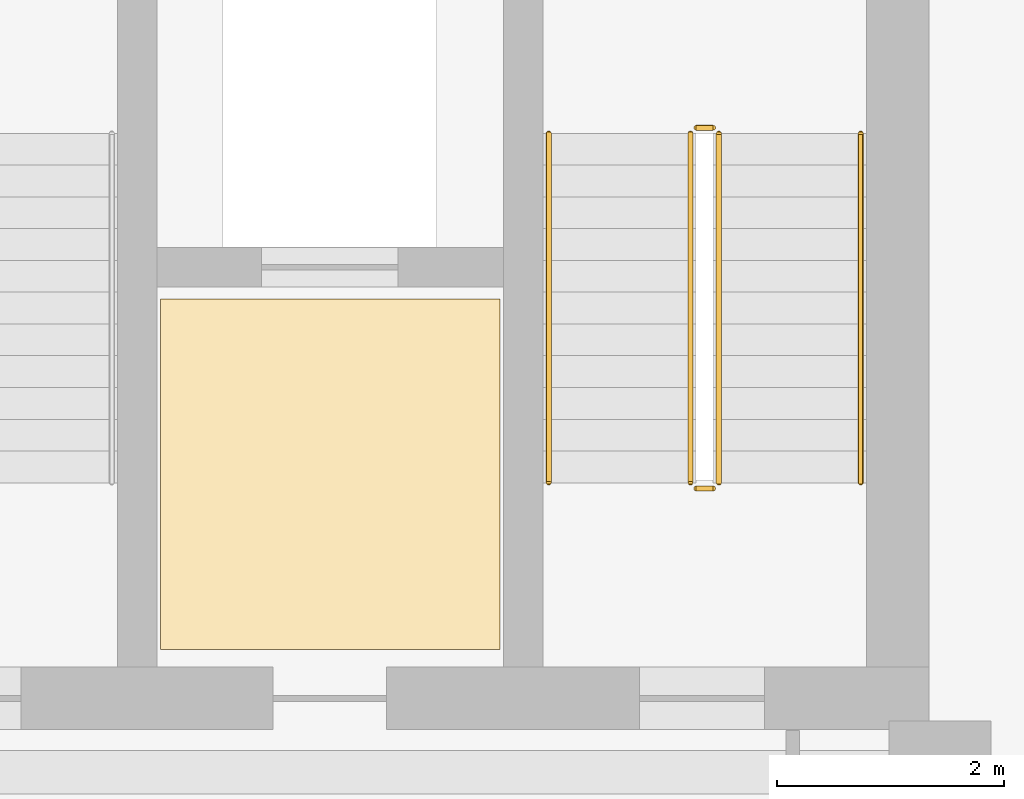
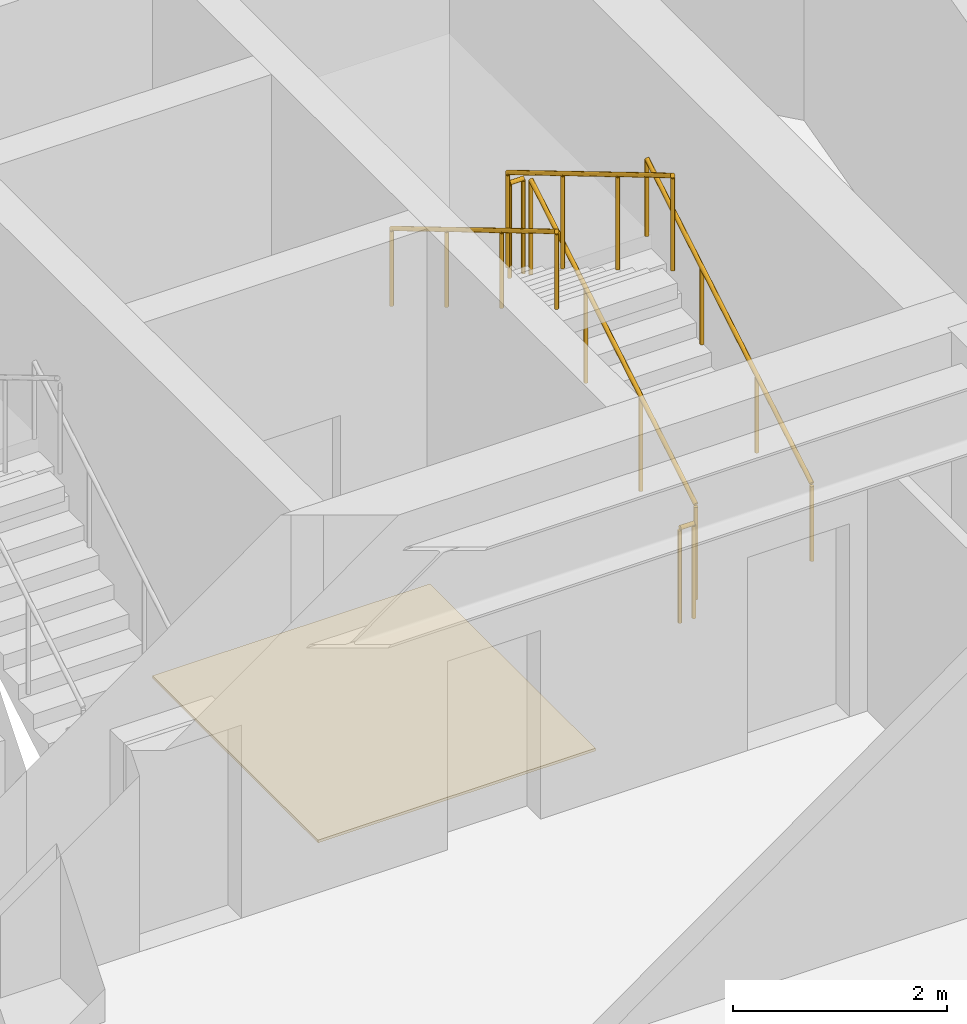
# One storey, part 21 of 21: 6 railings, 1 covering.
"""IFC4 building model written with IfcOpenShell, lengths in metres."""

from ifc_helpers import new_model, si_unit, direction, frame, origin, origin_2d, place, context, subcontext, project, spatial, polyline, circle, outline, extrude, material, layer, layer_set, type_object, element, save


model = new_model("IFC4")

# Units and contexts
model_context = context("Model", 3, precision=1e-05, world=origin(), true_north=direction((0.0, 1.0)))
body_context = subcontext(model_context, "Body", "Model", "MODEL_VIEW")
ifc_project = project(units=[si_unit("LENGTHUNIT", "METRE"), si_unit("AREAUNIT", "SQUARE_METRE"), si_unit("VOLUMEUNIT", "CUBIC_METRE"), si_unit("PLANEANGLEUNIT", "RADIAN"), si_unit("MASSUNIT", "GRAM", prefix="KILO")], contexts=[model_context])

# Site, building, storey
site_placement = place(None, origin())
site = spatial("IfcSite", under=ifc_project, at=site_placement, CompositionType="ELEMENT")
building_placement = place(site_placement, origin())
building = spatial("IfcBuilding", under=site, at=building_placement, Name="Kravanh Interchange Tower", CompositionType="ELEMENT")
storey_placement = place(building_placement, frame((0.0, 0.0, 160.5)))
storey = spatial("IfcBuildingStorey", under=building, at=storey_placement, Name="L38", CompositionType="ELEMENT", Elevation=160.5)

# Covering
ifc_material_1 = material(Name="Cementitious Terrazzo Tile")
ifc_layer_1 = layer(ifc_material_1, 0.030029296875)
ifc_layer_set_1 = layer_set([ifc_layer_1], Name="Honed Terrazzo Lobby Flooring 30mm")
covering_type = type_object("IfcCoveringType", Name="Honed Terrazzo Lobby Flooring 30mm", PredefinedType="FLOORING", material=ifc_layer_set_1)
covering_placement = place(storey_placement, origin())
element("IfcCovering", 1, at=covering_placement, inside=storey, type_object=covering_type, Name="L38 Service Lift Lobby Floor Finish", PredefinedType="FLOORING", context=body_context, shape_type="SweptSolid", body=[
    extrude(outline(polyline([(59.6298828125, 41.52001953125), (62.6201171875, 41.52001953125), (62.6201171875, 38.429931640625), (59.6298828125, 38.429931640625), (59.6298828125, 41.52001953125)])), origin(), (0.0, 0.0, 1.0), 0.030029296875),
])

# Railings
ifc_material_2 = material(Name="Structural Steel S355", Category="steel")
ifc_layer_2 = layer(ifc_material_2, 0.050048828125)
ifc_layer_set_2 = layer_set([ifc_layer_2], Name="Stair Well Guardrail Structural Steel S355 1100mm")
railing_type_1 = type_object("IfcRailingType", Name="Stair Well Guardrail Structural Steel S355 1100mm", PredefinedType="GUARDRAIL", material=ifc_layer_set_2)
railing_1_placement = place(storey_placement, frame((64.550048828125, 39.89990234375, 0.166748046875)))
element("IfcRailing", 2, at=railing_1_placement, inside=storey, type_object=railing_type_1, Name="L38 ST1 stair guard 1", PredefinedType="GUARDRAIL", context=body_context, shape_type="SweptSolid", body=[
    extrude(circle(Radius=0.02392578125, at=origin_2d()), frame((0.0, 0.0, 1.076171875), z_axis=(0.0, 0.859308565015, 0.511457515432), x_axis=(-1.0, 0.0, 0.0)), (0.0, 0.0, 1.0), 3.58447265625),
    extrude(circle(Radius=0.02099609375, at=origin_2d()), origin(), (0.0, 0.0, 1.0), 1.052001953125),
    extrude(circle(Radius=0.02099609375, at=origin_2d()), frame((0.0, 1.026611328125, 0.611083984375)), (0.0, 0.0, 1.0), 1.052001953125),
    extrude(circle(Radius=0.02099609375, at=origin_2d()), frame((0.0, 2.053466796875, 1.22216796875)), (0.0, 0.0, 1.0), 1.052001953125),
    extrude(circle(Radius=0.02099609375, at=origin_2d()), frame((0.0, 3.080078125, 1.833251953125)), (0.0, 0.0, 1.0), 1.052001953125),
])
railing_2_placement = place(storey_placement, frame((64.5, 43.030029296875, 2.0)))
element("IfcRailing", 3, at=railing_2_placement, inside=storey, type_object=railing_type_1, Name="L38 ST1 stair guard 2", PredefinedType="GUARDRAIL", context=body_context, shape_type="SweptSolid", body=[
    extrude(circle(Radius=0.02392578125, at=origin_2d()), frame((0.0, 0.0, 1.076171875), z_axis=(-1.0, 0.0, 0.0), x_axis=(0.0, -1.0, 0.0)), (0.0, 0.0, 1.0), 0.14990234375),
    extrude(circle(Radius=0.02099609375, at=origin_2d()), origin(), (0.0, 0.0, 1.0), 1.052001953125),
    extrude(circle(Radius=0.02099609375, at=origin_2d()), frame((-0.14990234375, 0.0, 0.0)), (0.0, 0.0, 1.0), 1.052001953125),
])
railing_3_placement = place(storey_placement, frame((64.300048828125, 42.97998046875, 2.166748046875)))
element("IfcRailing", 4, at=railing_3_placement, inside=storey, type_object=railing_type_1, Name="L38 ST1 stair guard 3", PredefinedType="GUARDRAIL", context=body_context, shape_type="SweptSolid", body=[
    extrude(circle(Radius=0.02392578125, at=origin_2d()), frame((0.0, 0.0, 1.076171875), z_axis=(0.0, -0.859308565015, 0.511457515432), x_axis=(1.0, 0.0, 0.0)), (0.0, 0.0, 1.0), 3.58447265625),
    extrude(circle(Radius=0.02099609375, at=origin_2d()), origin(), (0.0, 0.0, 1.0), 1.052001953125),
    extrude(circle(Radius=0.02099609375, at=origin_2d()), frame((0.0, -1.026611328125, 0.611083984375)), (0.0, 0.0, 1.0), 1.052001953125),
    extrude(circle(Radius=0.02099609375, at=origin_2d()), frame((0.0, -2.053466796875, 1.22216796875)), (0.0, 0.0, 1.0), 1.052001953125),
    extrude(circle(Radius=0.02099609375, at=origin_2d()), frame((0.0, -3.080078125, 1.833251953125)), (0.0, 0.0, 1.0), 1.052001953125),
])
railing_4_placement = place(storey_placement, frame((64.5, 39.85009765625, 0.0)))
element("IfcRailing", 5, at=railing_4_placement, inside=storey, type_object=railing_type_1, Name="L38 ST1 stair guard 4", PredefinedType="GUARDRAIL", context=body_context, shape_type="SweptSolid", body=[
    extrude(circle(Radius=0.02392578125, at=origin_2d()), frame((0.0, 0.0, 1.076171875), z_axis=(-1.0, 0.0, 0.0), x_axis=(0.0, -1.0, 0.0)), (0.0, 0.0, 1.0), 0.14990234375),
    extrude(circle(Radius=0.02099609375, at=origin_2d()), origin(), (0.0, 0.0, 1.0), 1.052001953125),
    extrude(circle(Radius=0.02099609375, at=origin_2d()), frame((-0.14990234375, 0.0, 0.0)), (0.0, 0.0, 1.0), 1.052001953125),
])
ifc_material_3 = material(Name="Stainless Steel 304", Category="steel")
ifc_layer_3 = layer(ifc_material_3, 0.044921875)
ifc_layer_set_3 = layer_set([ifc_layer_3], Name="Tubular Stair Handrail Stainless 304 900mm")
railing_type_2 = type_object("IfcRailingType", Name="Tubular Stair Handrail Stainless 304 900mm", PredefinedType="HANDRAIL", material=ifc_layer_set_3)
railing_5_placement = place(storey_placement, frame((65.800048828125, 39.89990234375, 0.166748046875)))
element("IfcRailing", 6, at=railing_5_placement, inside=storey, type_object=railing_type_2, Name="L38 ST1 stair handrail 1", PredefinedType="HANDRAIL", context=body_context, shape_type="SweptSolid", body=[
    extrude(circle(Radius=0.02392578125, at=origin_2d()), frame((0.0, 0.0, 0.8759765625), z_axis=(0.0, 0.859308565015, 0.511457515432), x_axis=(-1.0, 0.0, 0.0)), (0.0, 0.0, 1.0), 3.58447265625),
    extrude(circle(Radius=0.02099609375, at=origin_2d()), origin(), (0.0, 0.0, 1.0), 0.851806640625),
    extrude(circle(Radius=0.02099609375, at=origin_2d()), frame((0.0, 1.026611328125, 0.611083984375)), (0.0, 0.0, 1.0), 0.851806640625),
    extrude(circle(Radius=0.02099609375, at=origin_2d()), frame((0.0, 2.053466796875, 1.22216796875)), (0.0, 0.0, 1.0), 0.851806640625),
    extrude(circle(Radius=0.02099609375, at=origin_2d()), frame((0.0, 3.080078125, 1.833251953125)), (0.0, 0.0, 1.0), 0.851806640625),
])
railing_6_placement = place(storey_placement, frame((63.050048828125, 42.97998046875, 2.166748046875)))
element("IfcRailing", 7, at=railing_6_placement, inside=storey, type_object=railing_type_2, Name="L38 ST1 stair handrail 2", PredefinedType="HANDRAIL", context=body_context, shape_type="SweptSolid", body=[
    extrude(circle(Radius=0.02392578125, at=origin_2d()), frame((0.0, 0.0, 0.8759765625), z_axis=(0.0, -0.859308565015, 0.511457515432), x_axis=(1.0, 0.0, 0.0)), (0.0, 0.0, 1.0), 3.58447265625),
    extrude(circle(Radius=0.02099609375, at=origin_2d()), origin(), (0.0, 0.0, 1.0), 0.851806640625),
    extrude(circle(Radius=0.02099609375, at=origin_2d()), frame((0.0, -1.026611328125, 0.611083984375)), (0.0, 0.0, 1.0), 0.851806640625),
    extrude(circle(Radius=0.02099609375, at=origin_2d()), frame((0.0, -2.053466796875, 1.22216796875)), (0.0, 0.0, 1.0), 0.851806640625),
    extrude(circle(Radius=0.02099609375, at=origin_2d()), frame((0.0, -3.080078125, 1.833251953125)), (0.0, 0.0, 1.0), 0.851806640625),
])

save(model, "model.ifc")
